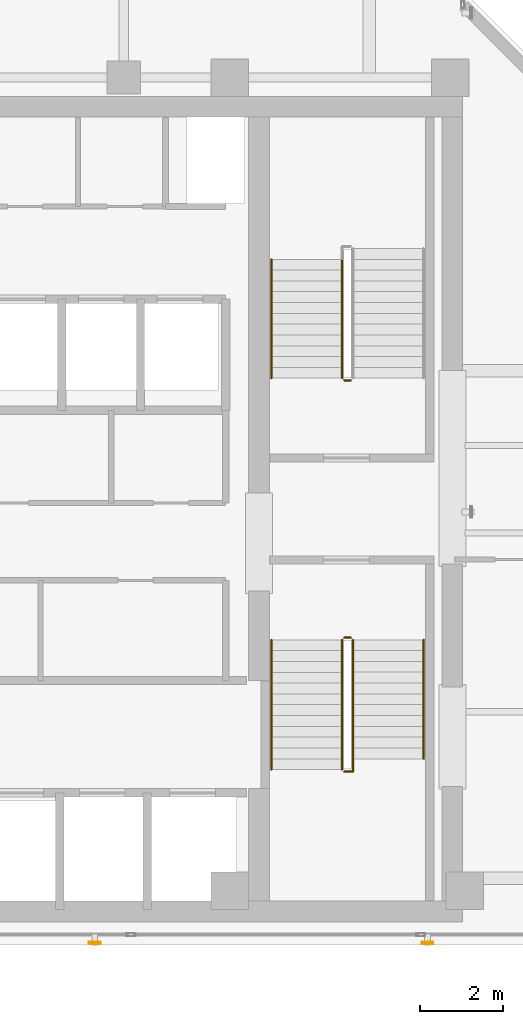
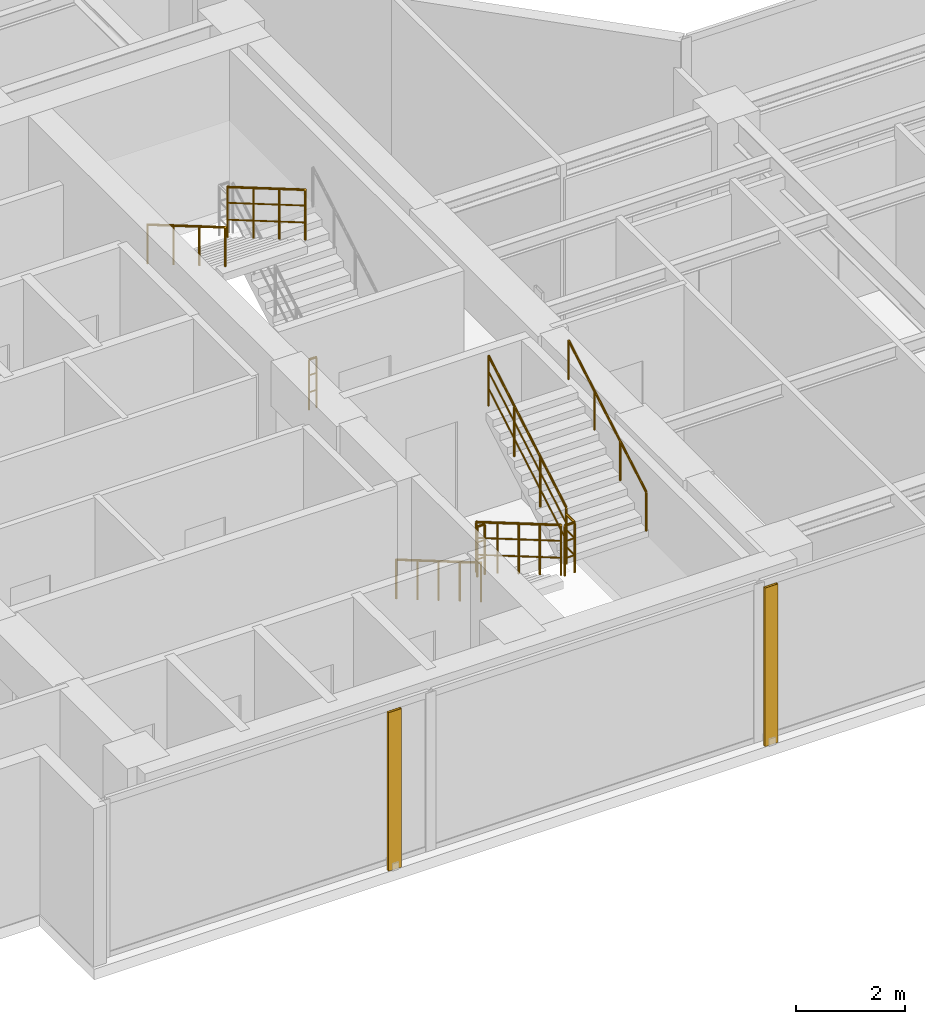
# One storey, part 20 of 24: 9 railings, 2 shading devices.
"""IFC4 building model written with IfcOpenShell, lengths in metres."""

from ifc_helpers import new_model, si_unit, direction, frame, origin, origin_2d, place, context, subcontext, project, spatial, hollow_rectangle, circle, extrude, material, material_profile, profile_set, type_object, element, save


model = new_model("IFC4")

# Units and contexts
model_context = context("Model", 3, precision=1e-05, world=origin(), true_north=direction((0.0, 1.0)))
body_context = subcontext(model_context, "Body", "Model", "MODEL_VIEW")
ifc_project = project(units=[si_unit("LENGTHUNIT", "METRE"), si_unit("AREAUNIT", "SQUARE_METRE"), si_unit("VOLUMEUNIT", "CUBIC_METRE"), si_unit("PLANEANGLEUNIT", "RADIAN"), si_unit("MASSUNIT", "GRAM", prefix="KILO")], contexts=[model_context])

# Site, building, storey
site_placement = place(None, origin())
site = spatial("IfcSite", under=ifc_project, at=site_placement, CompositionType="ELEMENT")
building_placement = place(site_placement, origin())
building = spatial("IfcBuilding", under=site, at=building_placement, Name="Kolvaren Waterfront Exchange", CompositionType="ELEMENT")
storey_placement = place(building_placement, frame((0.0, 0.0, 300.800048828125)))
storey = spatial("IfcBuildingStorey", under=building, at=storey_placement, Name="L77", CompositionType="ELEMENT", Elevation=300.800048828125)

# Shading devices
ifc_material_1 = material(Name="Anodised bronze aluminium 6063-T6", Category="aluminium")
ifc_material_profile = material_profile(ifc_material_1, hollow_rectangle(XDim=0.054931640625, YDim=0.280029296875, WallThickness=0.00439453125, at=origin_2d()), Name="BRZ-FIN-280x55x4.5")
ifc_profile_set = profile_set([ifc_material_profile], Name="Anodised bronze aluminium 6063-T6")
shading_device_type = type_object("IfcShadingDeviceType", Name="ARC-FIN-280", PredefinedType="USERDEFINED", material=ifc_profile_set)
for number, where, z_axis, x_axis, name in (
    (1, (12.199951171875, 3.639892578125, 0.0), (0.0, 0.0, 1.0), (0.0, -1.0, 0.0), "L77 anodised bronze solar shading fin FIN-L77-S1"),
    (2, (20.199951171875, 3.639892578125, 0.0), (0.0, 0.0, 1.0), (0.0, -1.0, 0.0), "L77 anodised bronze solar shading fin FIN-L77-S2"),
):
    element("IfcShadingDevice", number, at=place(storey_placement, frame(where, z_axis=z_axis, x_axis=x_axis)), inside=storey, type_object=shading_device_type, Name=name, ObjectType="SOLAR FIN", PredefinedType="USERDEFINED", context=body_context, shape_type="SweptSolid", body=[
        extrude(hollow_rectangle(XDim=0.054931640625, YDim=0.280029296875, WallThickness=0.00439453125, at=origin_2d()), origin(), (0.0, 0.0, 1.0), 3.56005859375),
    ])

# Railings
ifc_material_2 = material(Name="Stainless steel 316", Category="steel")
railing_type_1 = type_object("IfcRailingType", Name="ARC-GUARD-STAIR", PredefinedType="GUARDRAIL", material=ifc_material_2)
railing_1_placement = place(storey_placement, frame((18.14990234375, 10.929931640625, 0.15185546875)))
element("IfcRailing", 3, at=railing_1_placement, inside=storey, type_object=railing_type_1, Name="L77 ST1 stair guard 1", PredefinedType="GUARDRAIL", context=body_context, shape_type="SweptSolid", body=[
    extrude(circle(Radius=0.02392578125, at=origin_2d()), frame((0.0, 0.0, 1.1259765625), z_axis=(0.0, -0.86329090724, 0.504706656858), x_axis=(1.0, 0.0, 0.0)), (0.0, 0.0, 1.0), 3.614013671875),
    extrude(circle(Radius=0.01611328125, at=origin_2d()), frame((0.0, 0.0, 0.390869140625), z_axis=(0.0, -0.86329090724, 0.504706656858), x_axis=(1.0, 0.0, 0.0)), (0.0, 0.0, 1.0), 3.614013671875),
    extrude(circle(Radius=0.01611328125, at=origin_2d()), frame((0.0, 0.0, 0.7705078125), z_axis=(0.0, -0.86329090724, 0.504706656858), x_axis=(1.0, 0.0, 0.0)), (0.0, 0.0, 1.0), 3.614013671875),
    extrude(circle(Radius=0.02099609375, at=origin_2d()), origin(), (0.0, 0.0, 1.0), 1.101806640625),
    extrude(circle(Radius=0.02099609375, at=origin_2d()), frame((0.0, -0.780029296875, 0.4560546875)), (0.0, 0.0, 1.0), 1.101806640625),
    extrude(circle(Radius=0.02099609375, at=origin_2d()), frame((0.0, -1.56005859375, 0.912109375)), (0.0, 0.0, 1.0), 1.101806640625),
    extrude(circle(Radius=0.02099609375, at=origin_2d()), frame((0.0, -2.33984375, 1.367919921875)), (0.0, 0.0, 1.0), 1.101806640625),
    extrude(circle(Radius=0.02099609375, at=origin_2d()), frame((0.0, -3.119873046875, 1.823974609375)), (0.0, 0.0, 1.0), 1.101806640625),
])
railing_2_placement = place(storey_placement, frame((18.199951171875, 7.760009765625, 1.975830078125)))
element("IfcRailing", 4, at=railing_2_placement, inside=storey, type_object=railing_type_1, Name="L77 ST1 stair guard 2", PredefinedType="GUARDRAIL", context=body_context, shape_type="SweptSolid", body=[
    extrude(circle(Radius=0.02392578125, at=origin_2d()), frame((0.0, 0.0, 1.1259765625), z_axis=(1.0, 0.0, 0.0), x_axis=(0.0, 1.0, 0.0)), (0.0, 0.0, 1.0), 0.2099609375),
    extrude(circle(Radius=0.01611328125, at=origin_2d()), frame((0.0, 0.0, 0.390869140625), z_axis=(1.0, 0.0, 0.0), x_axis=(0.0, 1.0, 0.0)), (0.0, 0.0, 1.0), 0.2099609375),
    extrude(circle(Radius=0.01611328125, at=origin_2d()), frame((0.0, 0.0, 0.7705078125), z_axis=(1.0, 0.0, 0.0), x_axis=(0.0, 1.0, 0.0)), (0.0, 0.0, 1.0), 0.2099609375),
    extrude(circle(Radius=0.02392578125, at=origin_2d()), frame((0.2099609375, 0.0, 1.1259765625), z_axis=(0.0, 1.0, 0.0), x_axis=(-1.0, 0.0, 0.0)), (0.0, 0.0, 1.0), 0.31005859375),
    extrude(circle(Radius=0.01611328125, at=origin_2d()), frame((0.2099609375, 0.0, 0.390869140625), z_axis=(0.0, 1.0, 0.0), x_axis=(-1.0, 0.0, 0.0)), (0.0, 0.0, 1.0), 0.31005859375),
    extrude(circle(Radius=0.01611328125, at=origin_2d()), frame((0.2099609375, 0.0, 0.7705078125), z_axis=(0.0, 1.0, 0.0), x_axis=(-1.0, 0.0, 0.0)), (0.0, 0.0, 1.0), 0.31005859375),
    extrude(circle(Radius=0.02099609375, at=origin_2d()), origin(), (0.0, 0.0, 1.0), 1.101806640625),
    extrude(circle(Radius=0.02099609375, at=origin_2d()), frame((0.2099609375, 0.0, 0.0)), (0.0, 0.0, 1.0), 1.101806640625),
    extrude(circle(Radius=0.02099609375, at=origin_2d()), frame((0.2099609375, 0.31005859375, 0.0)), (0.0, 0.0, 1.0), 1.101806640625),
])
railing_3_placement = place(storey_placement, frame((18.409912109375, 8.070068359375, 2.1279296875)))
element("IfcRailing", 5, at=railing_3_placement, inside=storey, type_object=railing_type_1, Name="L77 ST1 stair guard 3", PredefinedType="GUARDRAIL", context=body_context, shape_type="SweptSolid", body=[
    extrude(circle(Radius=0.02392578125, at=origin_2d()), frame((0.0, 0.0, 1.1259765625), z_axis=(0.0, 0.863270611444, 0.50474137082), x_axis=(-1.0, 0.0, 0.0)), (0.0, 0.0, 1.0), 3.312744140625),
    extrude(circle(Radius=0.01611328125, at=origin_2d()), frame((0.0, 0.0, 0.390869140625), z_axis=(0.0, 0.863270611444, 0.50474137082), x_axis=(-1.0, 0.0, 0.0)), (0.0, 0.0, 1.0), 3.312744140625),
    extrude(circle(Radius=0.01611328125, at=origin_2d()), frame((0.0, 0.0, 0.7705078125), z_axis=(0.0, 0.863270611444, 0.50474137082), x_axis=(-1.0, 0.0, 0.0)), (0.0, 0.0, 1.0), 3.312744140625),
    extrude(circle(Radius=0.02099609375, at=origin_2d()), origin(), (0.0, 0.0, 1.0), 1.101806640625),
    extrude(circle(Radius=0.02099609375, at=origin_2d()), frame((0.0, 0.953369140625, 0.557373046875)), (0.0, 0.0, 1.0), 1.101806640625),
    extrude(circle(Radius=0.02099609375, at=origin_2d()), frame((0.0, 1.906494140625, 1.11474609375)), (0.0, 0.0, 1.0), 1.101806640625),
    extrude(circle(Radius=0.02099609375, at=origin_2d()), frame((0.0, 2.85986328125, 1.672119140625)), (0.0, 0.0, 1.0), 1.101806640625),
])
railing_4_placement = place(storey_placement, frame((18.199951171875, 10.97998046875, 0.0)))
element("IfcRailing", 6, at=railing_4_placement, inside=storey, type_object=railing_type_1, Name="L77 ST1 stair guard 4", PredefinedType="GUARDRAIL", context=body_context, shape_type="SweptSolid", body=[
    extrude(circle(Radius=0.02392578125, at=origin_2d()), frame((0.0, 0.0, 1.1259765625), z_axis=(1.0, 0.0, 0.0), x_axis=(0.0, 1.0, 0.0)), (0.0, 0.0, 1.0), 0.16015625),
    extrude(circle(Radius=0.01611328125, at=origin_2d()), frame((0.0, 0.0, 0.390869140625), z_axis=(1.0, 0.0, 0.0), x_axis=(0.0, 1.0, 0.0)), (0.0, 0.0, 1.0), 0.16015625),
    extrude(circle(Radius=0.01611328125, at=origin_2d()), frame((0.0, 0.0, 0.7705078125), z_axis=(1.0, 0.0, 0.0), x_axis=(0.0, 1.0, 0.0)), (0.0, 0.0, 1.0), 0.16015625),
    extrude(circle(Radius=0.02099609375, at=origin_2d()), origin(), (0.0, 0.0, 1.0), 1.101806640625),
    extrude(circle(Radius=0.02099609375, at=origin_2d()), frame((0.16015625, 0.0, 0.0)), (0.0, 0.0, 1.0), 1.101806640625),
])
railing_5_placement = place(storey_placement, frame((18.14990234375, 20.080078125, 2.1279296875)))
element("IfcRailing", 7, at=railing_5_placement, inside=storey, type_object=railing_type_1, Name="L77 ST2 stair guard 3", PredefinedType="GUARDRAIL", context=body_context, shape_type="SweptSolid", body=[
    extrude(circle(Radius=0.02392578125, at=origin_2d()), frame((0.0, 0.0, 1.1259765625), z_axis=(0.0, -0.863289384635, 0.504709261235), x_axis=(1.0, 0.0, 0.0)), (0.0, 0.0, 1.0), 3.31298828125),
    extrude(circle(Radius=0.01611328125, at=origin_2d()), frame((0.0, 0.0, 0.390869140625), z_axis=(0.0, -0.863289384635, 0.504709261235), x_axis=(1.0, 0.0, 0.0)), (0.0, 0.0, 1.0), 3.31298828125),
    extrude(circle(Radius=0.01611328125, at=origin_2d()), frame((0.0, 0.0, 0.7705078125), z_axis=(0.0, -0.863289384635, 0.504709261235), x_axis=(1.0, 0.0, 0.0)), (0.0, 0.0, 1.0), 3.31298828125),
    extrude(circle(Radius=0.02099609375, at=origin_2d()), origin(), (0.0, 0.0, 1.0), 1.101806640625),
    extrude(circle(Radius=0.02099609375, at=origin_2d()), frame((0.0, -0.953369140625, 0.557373046875)), (0.0, 0.0, 1.0), 1.101806640625),
    extrude(circle(Radius=0.02099609375, at=origin_2d()), frame((0.0, -1.90673828125, 1.11474609375)), (0.0, 0.0, 1.0), 1.101806640625),
    extrude(circle(Radius=0.02099609375, at=origin_2d()), frame((0.0, -2.860107421875, 1.672119140625)), (0.0, 0.0, 1.0), 1.101806640625),
])
railing_6_placement = place(storey_placement, frame((18.360107421875, 17.169921875, 0.0)))
element("IfcRailing", 8, at=railing_6_placement, inside=storey, type_object=railing_type_1, Name="L77 ST2 stair guard 4", PredefinedType="GUARDRAIL", context=body_context, shape_type="SweptSolid", body=[
    extrude(circle(Radius=0.02392578125, at=origin_2d()), frame((0.0, 0.0, 1.1259765625), z_axis=(-1.0, 0.0, 0.0), x_axis=(0.0, -1.0, 0.0)), (0.0, 0.0, 1.0), 0.16015625),
    extrude(circle(Radius=0.01611328125, at=origin_2d()), frame((0.0, 0.0, 0.390869140625), z_axis=(-1.0, 0.0, 0.0), x_axis=(0.0, -1.0, 0.0)), (0.0, 0.0, 1.0), 0.16015625),
    extrude(circle(Radius=0.01611328125, at=origin_2d()), frame((0.0, 0.0, 0.7705078125), z_axis=(-1.0, 0.0, 0.0), x_axis=(0.0, -1.0, 0.0)), (0.0, 0.0, 1.0), 0.16015625),
    extrude(circle(Radius=0.02099609375, at=origin_2d()), origin(), (0.0, 0.0, 1.0), 1.101806640625),
    extrude(circle(Radius=0.02099609375, at=origin_2d()), frame((-0.16015625, 0.0, 0.0)), (0.0, 0.0, 1.0), 1.101806640625),
])
railing_type_2 = type_object("IfcRailingType", Name="ARC-HANDRAIL-900", PredefinedType="HANDRAIL", material=ifc_material_2)
railing_7_placement = place(storey_placement, frame((16.449951171875, 10.929931640625, 0.15185546875)))
element("IfcRailing", 9, at=railing_7_placement, inside=storey, type_object=railing_type_2, Name="L77 ST1 stair handrail 1", PredefinedType="HANDRAIL", context=body_context, shape_type="SweptSolid", body=[
    extrude(circle(Radius=0.02392578125, at=origin_2d()), frame((0.0, 0.0, 0.8759765625), z_axis=(0.0, -0.86329090724, 0.504706656858), x_axis=(1.0, 0.0, 0.0)), (0.0, 0.0, 1.0), 3.614013671875),
    extrude(circle(Radius=0.02099609375, at=origin_2d()), origin(), (0.0, 0.0, 1.0), 0.851806640625),
    extrude(circle(Radius=0.02099609375, at=origin_2d()), frame((0.0, -0.780029296875, 0.4560546875)), (0.0, 0.0, 1.0), 0.851806640625),
    extrude(circle(Radius=0.02099609375, at=origin_2d()), frame((0.0, -1.56005859375, 0.912109375)), (0.0, 0.0, 1.0), 0.851806640625),
    extrude(circle(Radius=0.02099609375, at=origin_2d()), frame((0.0, -2.33984375, 1.367919921875)), (0.0, 0.0, 1.0), 0.851806640625),
    extrude(circle(Radius=0.02099609375, at=origin_2d()), frame((0.0, -3.119873046875, 1.823974609375)), (0.0, 0.0, 1.0), 0.851806640625),
])
railing_8_placement = place(storey_placement, frame((20.110107421875, 8.070068359375, 2.1279296875)))
element("IfcRailing", 10, at=railing_8_placement, inside=storey, type_object=railing_type_2, Name="L77 ST1 stair handrail 2", PredefinedType="HANDRAIL", context=body_context, shape_type="SweptSolid", body=[
    extrude(circle(Radius=0.02392578125, at=origin_2d()), frame((0.0, 0.0, 0.8759765625), z_axis=(0.0, 0.863270611444, 0.50474137082), x_axis=(-1.0, 0.0, 0.0)), (0.0, 0.0, 1.0), 3.312744140625),
    extrude(circle(Radius=0.02099609375, at=origin_2d()), origin(), (0.0, 0.0, 1.0), 0.851806640625),
    extrude(circle(Radius=0.02099609375, at=origin_2d()), frame((0.0, 0.953369140625, 0.557373046875)), (0.0, 0.0, 1.0), 0.851806640625),
    extrude(circle(Radius=0.02099609375, at=origin_2d()), frame((0.0, 1.906494140625, 1.11474609375)), (0.0, 0.0, 1.0), 0.851806640625),
    extrude(circle(Radius=0.02099609375, at=origin_2d()), frame((0.0, 2.85986328125, 1.672119140625)), (0.0, 0.0, 1.0), 0.851806640625),
])
railing_9_placement = place(storey_placement, frame((16.449951171875, 20.080078125, 2.1279296875)))
element("IfcRailing", 11, at=railing_9_placement, inside=storey, type_object=railing_type_2, Name="L77 ST2 stair handrail 2", PredefinedType="HANDRAIL", context=body_context, shape_type="SweptSolid", body=[
    extrude(circle(Radius=0.02392578125, at=origin_2d()), frame((0.0, 0.0, 0.8759765625), z_axis=(0.0, -0.863289384635, 0.504709261235), x_axis=(1.0, 0.0, 0.0)), (0.0, 0.0, 1.0), 3.31298828125),
    extrude(circle(Radius=0.02099609375, at=origin_2d()), origin(), (0.0, 0.0, 1.0), 0.851806640625),
    extrude(circle(Radius=0.02099609375, at=origin_2d()), frame((0.0, -0.953369140625, 0.557373046875)), (0.0, 0.0, 1.0), 0.851806640625),
    extrude(circle(Radius=0.02099609375, at=origin_2d()), frame((0.0, -1.90673828125, 1.11474609375)), (0.0, 0.0, 1.0), 0.851806640625),
    extrude(circle(Radius=0.02099609375, at=origin_2d()), frame((0.0, -2.860107421875, 1.672119140625)), (0.0, 0.0, 1.0), 0.851806640625),
])

save(model, "model.ifc")
